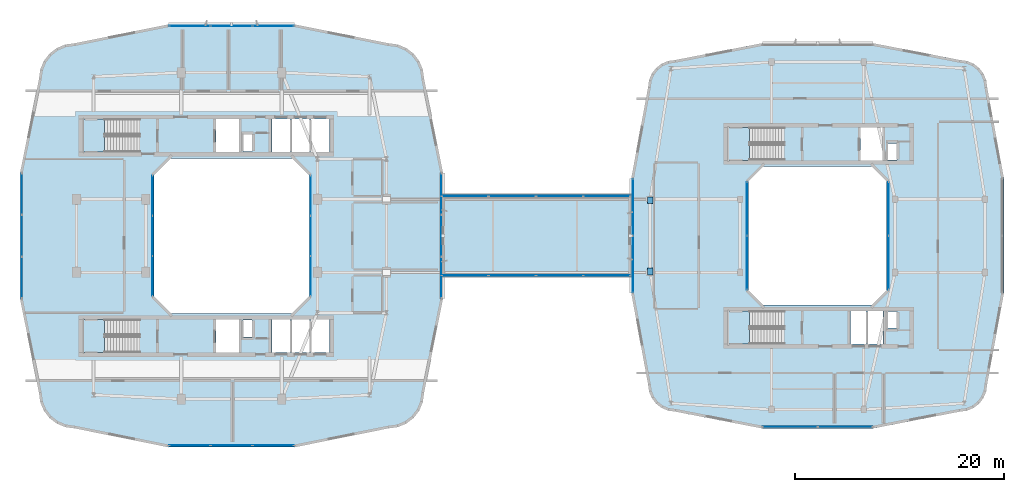
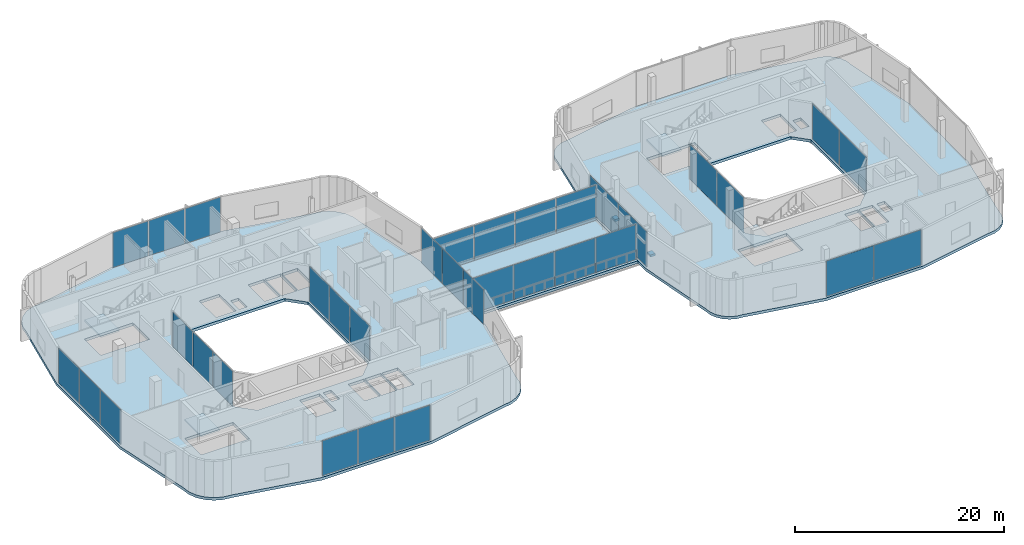
# One storey, part 12 of 24: 34 plates, 7 slabs, 2 members, 16 elements without a shape of their own.
"""IFC4 building model written with IfcOpenShell, lengths in metres."""

from ifc_helpers import new_model, si_unit, derived_unit, direction, frame, origin, origin_2d, place, context, subcontext, project, spatial, polyline, rectangle, outline, extrude, material, layer, layer_set, material_profile, profile_set, type_object, element, aggregate, save


model = new_model("IFC4")

# Units and contexts
model_context = context("Model", 3, precision=1e-05, world=origin(), true_north=direction((0.0, 1.0)))
body_context = subcontext(model_context, "Body", "Model", "MODEL_VIEW")
ifc_project = project(units=[si_unit("LENGTHUNIT", "METRE"), si_unit("AREAUNIT", "SQUARE_METRE"), si_unit("VOLUMEUNIT", "CUBIC_METRE"), si_unit("PLANEANGLEUNIT", "RADIAN"), si_unit("MASSUNIT", "GRAM", prefix="KILO"), derived_unit("THERMALTRANSMITTANCEUNIT", [(si_unit("POWERUNIT", "WATT"), 1), (si_unit("LENGTHUNIT", "METRE"), -2), (si_unit("THERMODYNAMICTEMPERATUREUNIT", "KELVIN"), -1)])], contexts=[model_context])

# Site, building, storey
site_placement = place(None, origin())
site = spatial("IfcSite", under=ifc_project, at=site_placement, CompositionType="ELEMENT")
building_placement = place(site_placement, origin())
building = spatial("IfcBuilding", under=site, at=building_placement, Name="Kivonza Crest Hotel", CompositionType="ELEMENT")
storey_placement = place(building_placement, frame((0.0, 0.0, 119.5)))
storey = spatial("IfcBuildingStorey", under=building, at=storey_placement, Name="L32", CompositionType="ELEMENT", Elevation=119.5)

# Members
ifc_material_1 = material(Name="Steel S355", Category="steel")
ifc_material_profile = material_profile(ifc_material_1, rectangle(XDim=0.52001953125, YDim=0.239990234375, at=origin_2d()), Name="BEARING 520x240")
ifc_profile_set = profile_set([ifc_material_profile], Name="Steel S355")
member_type = type_object("IfcMemberType", Name="MB-BEARING-520", PredefinedType="USERDEFINED", material=ifc_profile_set)
for number, where, z_axis, x_axis, name in (
    (1, (61.0, 28.080078125, -0.179931640625), (0.0, 1.0, 0.0), (-1.0, 0.0, 0.0), "Sliding bearing BRG-SKY-N unguided biaxial PTFE spherical assembly"),
    (2, (61.0, 21.280029296875, -0.179931640625), (0.0, 1.0, 0.0), (-1.0, 0.0, 0.0), "Sliding bearing BRG-SKY-S unguided biaxial PTFE spherical assembly"),
):
    element("IfcMember", number, at=place(storey_placement, frame(where, z_axis=z_axis, x_axis=x_axis)), inside=storey, type_object=member_type, Name=name, ObjectType="BEARING", PredefinedType="USERDEFINED", context=body_context, shape_type="SweptSolid", body=[
        extrude(rectangle(XDim=0.52001953125, YDim=0.239990234375, at=origin_2d()), origin(), (0.0, 0.0, 1.0), 0.639892578125),
    ])

# Curtain wall, plates
ifc_material_2 = material(Name="Anodised bronze aluminium and low-E double glazing", Category="aluminium")
ifc_layer_1 = layer(ifc_material_2, 0.159912109375)
ifc_layer_set_1 = layer_set([ifc_layer_1], Name="Anodised bronze aluminium and low-E double glazing")
curtain_wall_type_1 = type_object("IfcCurtainWallType", Name="CW-SYS-5", PredefinedType="NOTDEFINED", material=ifc_layer_set_1)
curtain_wall_1_placement = place(storey_placement, origin())
curtain_wall_1 = element("IfcCurtainWall", 3, at=curtain_wall_1_placement, inside=storey, type_object=curtain_wall_type_1, Name="L32 unitised curtain wall CW-WELL-T1-L32-3", PredefinedType="NOTDEFINED")
ifc_material_3 = material(Name="Solar-control low-E double glazing", Category="glass")
ifc_layer_2 = layer(ifc_material_3, 0.028076171875)
ifc_layer_set_2 = layer_set([ifc_layer_2], Name="Solar-control low-E double glazing")
plate_type_1 = type_object("IfcPlateType", Name="CW-PNL-28", PredefinedType="CURTAIN_PANEL", material=ifc_layer_set_2)
plate_1_placement = place(storey_placement, frame((28.56005859375, 21.149658203125, 0.06494140625), z_axis=(0.0, 0.0, 1.0), x_axis=(0.0, 1.0, 0.0)))
plate_1 = element("IfcPlate", 4, at=plate_1_placement, type_object=plate_type_1, Name="CW-5 panel 1.1", PredefinedType="CURTAIN_PANEL", context=body_context, shape_type="SweptSolid", body=[
    extrude(rectangle(XDim=3.769287109375, YDim=0.028076171875, at=origin_2d()), origin(), (0.0, 0.0, 1.0), 4.090087890625),
])
plate_2_placement = place(storey_placement, frame((28.56005859375, 25.0, 0.06494140625), z_axis=(0.0, 0.0, 1.0), x_axis=(0.0, 1.0, 0.0)))
plate_2 = element("IfcPlate", 5, at=plate_2_placement, type_object=plate_type_1, Name="CW-5 panel 2.1", PredefinedType="CURTAIN_PANEL", context=body_context, shape_type="SweptSolid", body=[
    extrude(rectangle(XDim=3.8017578125, YDim=0.028076171875, at=origin_2d()), origin(), (0.0, 0.0, 1.0), 4.090087890625),
])
plate_3_placement = place(storey_placement, frame((28.56005859375, 28.850341796875, 0.06494140625), z_axis=(0.0, 0.0, 1.0), x_axis=(0.0, 1.0, 0.0)))
plate_3 = element("IfcPlate", 6, at=plate_3_placement, type_object=plate_type_1, Name="CW-5 panel 3.1", PredefinedType="CURTAIN_PANEL", context=body_context, shape_type="SweptSolid", body=[
    extrude(rectangle(XDim=3.769287109375, YDim=0.028076171875, at=origin_2d()), origin(), (0.0, 0.0, 1.0), 4.090087890625),
])
aggregate(curtain_wall_1, [plate_1, plate_2, plate_3])

curtain_wall_2_placement = place(storey_placement, origin())
curtain_wall_2 = element("IfcCurtainWall", 7, at=curtain_wall_2_placement, inside=storey, type_object=curtain_wall_type_1, Name="L32 unitised curtain wall CW-WELL-T1-L32-7", PredefinedType="NOTDEFINED")
plate_4_placement = place(storey_placement, frame((13.43994140625, 28.850341796875, 0.06494140625), z_axis=(0.0, 0.0, 1.0), x_axis=(0.0, -1.0, 0.0)))
plate_4 = element("IfcPlate", 8, at=plate_4_placement, type_object=plate_type_1, Name="CW-5 panel 1.1", PredefinedType="CURTAIN_PANEL", context=body_context, shape_type="SweptSolid", body=[
    extrude(rectangle(XDim=3.769287109375, YDim=0.028076171875, at=origin_2d()), origin(), (0.0, 0.0, 1.0), 4.090087890625),
])
plate_5_placement = place(storey_placement, frame((13.43994140625, 25.0, 0.06494140625), z_axis=(0.0, 0.0, 1.0), x_axis=(0.0, -1.0, 0.0)))
plate_5 = element("IfcPlate", 9, at=plate_5_placement, type_object=plate_type_1, Name="CW-5 panel 2.1", PredefinedType="CURTAIN_PANEL", context=body_context, shape_type="SweptSolid", body=[
    extrude(rectangle(XDim=3.8017578125, YDim=0.028076171875, at=origin_2d()), origin(), (0.0, 0.0, 1.0), 4.090087890625),
])
plate_6_placement = place(storey_placement, frame((13.43994140625, 21.149658203125, 0.06494140625), z_axis=(0.0, 0.0, 1.0), x_axis=(0.0, -1.0, 0.0)))
plate_6 = element("IfcPlate", 10, at=plate_6_placement, type_object=plate_type_1, Name="CW-5 panel 3.1", PredefinedType="CURTAIN_PANEL", context=body_context, shape_type="SweptSolid", body=[
    extrude(rectangle(XDim=3.769287109375, YDim=0.028076171875, at=origin_2d()), origin(), (0.0, 0.0, 1.0), 4.090087890625),
])
aggregate(curtain_wall_2, [plate_4, plate_5, plate_6])

ifc_layer_3 = layer(ifc_material_2, 0.179931640625)
ifc_layer_set_3 = layer_set([ifc_layer_3], Name="Anodised bronze aluminium and low-E double glazing")
curtain_wall_type_2 = type_object("IfcCurtainWallType", Name="CW-SYS-4", PredefinedType="NOTDEFINED", material=ifc_layer_set_3)
curtain_wall_3_placement = place(storey_placement, origin())
curtain_wall_3 = element("IfcCurtainWall", 11, at=curtain_wall_3_placement, inside=storey, type_object=curtain_wall_type_2, Name="L32 unitised curtain wall CW-T2-L32-08", PredefinedType="NOTDEFINED")
plate_7_placement = place(storey_placement, frame((74.3662109375, 6.760009765625, 0.06494140625), z_axis=(0.0, 0.0, 1.0), x_axis=(1.0, 0.0, 0.0)))
plate_7 = element("IfcPlate", 12, at=plate_7_placement, type_object=plate_type_1, Name="CW-4 panel 1.1", PredefinedType="CURTAIN_PANEL", context=body_context, shape_type="SweptSolid", body=[
    extrude(rectangle(XDim=5.202392578125, YDim=0.028076171875, at=origin_2d()), origin(), (0.0, 0.0, 1.0), 4.1201171875),
])
plate_8_placement = place(storey_placement, frame((79.6337890625, 6.760009765625, 0.06494140625), z_axis=(0.0, 0.0, 1.0), x_axis=(1.0, 0.0, 0.0)))
plate_8 = element("IfcPlate", 13, at=plate_8_placement, type_object=plate_type_1, Name="CW-4 panel 2.1", PredefinedType="CURTAIN_PANEL", context=body_context, shape_type="SweptSolid", body=[
    extrude(rectangle(XDim=5.202392578125, YDim=0.028076171875, at=origin_2d()), origin(), (0.0, 0.0, 1.0), 4.1201171875),
])
aggregate(curtain_wall_3, [plate_7, plate_8])

curtain_wall_4_placement = place(storey_placement, origin())
curtain_wall_4 = element("IfcCurtainWall", 14, at=curtain_wall_4_placement, inside=storey, type_object=curtain_wall_type_2, Name="L32 unitised curtain wall CW-T2-L32-35", PredefinedType="NOTDEFINED")
plate_9_placement = place(storey_placement, frame((59.360107421875, 27.7236328125, 0.06494140625), z_axis=(0.0, 0.0, 1.0), x_axis=(0.0, -1.0, 0.0)))
plate_9 = element("IfcPlate", 15, at=plate_9_placement, type_object=plate_type_1, Name="CW-4 panel 1.1", PredefinedType="CURTAIN_PANEL", context=body_context, shape_type="SweptSolid", body=[
    extrude(rectangle(XDim=5.382568359375, YDim=0.028076171875, at=origin_2d()), origin(), (0.0, 0.0, 1.0), 4.1201171875),
])
plate_10_placement = place(storey_placement, frame((59.360107421875, 22.2763671875, 0.06494140625), z_axis=(0.0, 0.0, 1.0), x_axis=(0.0, -1.0, 0.0)))
plate_10 = element("IfcPlate", 16, at=plate_10_placement, type_object=plate_type_1, Name="CW-4 panel 2.1", PredefinedType="CURTAIN_PANEL", context=body_context, shape_type="SweptSolid", body=[
    extrude(rectangle(XDim=5.382568359375, YDim=0.028076171875, at=origin_2d()), origin(), (0.0, 0.0, 1.0), 4.1201171875),
])
aggregate(curtain_wall_4, [plate_9, plate_10])

curtain_wall_5_placement = place(storey_placement, origin())
curtain_wall_5 = element("IfcCurtainWall", 17, at=curtain_wall_5_placement, inside=storey, type_object=curtain_wall_type_1, Name="L32 unitised curtain wall CW-WELL-T2-L32-3", PredefinedType="NOTDEFINED")
plate_11_placement = place(storey_placement, frame((83.760009765625, 22.416259765625, 0.06494140625), z_axis=(0.0, 0.0, 1.0), x_axis=(0.0, 1.0, 0.0)))
plate_11 = element("IfcPlate", 18, at=plate_11_placement, type_object=plate_type_1, Name="CW-5 panel 1.1", PredefinedType="CURTAIN_PANEL", context=body_context, shape_type="SweptSolid", body=[
    extrude(rectangle(XDim=5.1025390625, YDim=0.028076171875, at=origin_2d()), origin(), (0.0, 0.0, 1.0), 4.1201171875),
])
plate_12_placement = place(storey_placement, frame((83.760009765625, 27.583740234375, 0.06494140625), z_axis=(0.0, 0.0, 1.0), x_axis=(0.0, 1.0, 0.0)))
plate_12 = element("IfcPlate", 19, at=plate_12_placement, type_object=plate_type_1, Name="CW-5 panel 2.1", PredefinedType="CURTAIN_PANEL", context=body_context, shape_type="SweptSolid", body=[
    extrude(rectangle(XDim=5.1025390625, YDim=0.028076171875, at=origin_2d()), origin(), (0.0, 0.0, 1.0), 4.1201171875),
])
aggregate(curtain_wall_5, [plate_11, plate_12])

curtain_wall_6_placement = place(storey_placement, origin())
curtain_wall_6 = element("IfcCurtainWall", 20, at=curtain_wall_6_placement, inside=storey, type_object=curtain_wall_type_1, Name="L32 unitised curtain wall CW-WELL-T2-L32-7", PredefinedType="NOTDEFINED")
plate_13_placement = place(storey_placement, frame((70.239990234375, 27.583740234375, 0.06494140625), z_axis=(0.0, 0.0, 1.0), x_axis=(0.0, -1.0, 0.0)))
plate_13 = element("IfcPlate", 21, at=plate_13_placement, type_object=plate_type_1, Name="CW-5 panel 1.1", PredefinedType="CURTAIN_PANEL", context=body_context, shape_type="SweptSolid", body=[
    extrude(rectangle(XDim=5.1025390625, YDim=0.028076171875, at=origin_2d()), origin(), (0.0, 0.0, 1.0), 4.1201171875),
])
plate_14_placement = place(storey_placement, frame((70.239990234375, 22.416259765625, 0.06494140625), z_axis=(0.0, 0.0, 1.0), x_axis=(0.0, -1.0, 0.0)))
plate_14 = element("IfcPlate", 22, at=plate_14_placement, type_object=plate_type_1, Name="CW-5 panel 2.1", PredefinedType="CURTAIN_PANEL", context=body_context, shape_type="SweptSolid", body=[
    extrude(rectangle(XDim=5.1025390625, YDim=0.028076171875, at=origin_2d()), origin(), (0.0, 0.0, 1.0), 4.1201171875),
])
aggregate(curtain_wall_6, [plate_13, plate_14])

ifc_layer_4 = layer(ifc_material_2, 0.179931640625)
ifc_layer_set_4 = layer_set([ifc_layer_4], Name="Anodised bronze aluminium and low-E double glazing")
curtain_wall_type_3 = type_object("IfcCurtainWallType", Name="CW-SYS-3", PredefinedType="NOTDEFINED", material=ifc_layer_set_4)
curtain_wall_7_placement = place(storey_placement, origin())
curtain_wall_7 = element("IfcCurtainWall", 23, at=curtain_wall_7_placement, inside=storey, type_object=curtain_wall_type_3, Name="L32 unitised curtain wall CW-T1-L32-08", PredefinedType="NOTDEFINED")
ifc_material_4 = material(Name="Acoustic triple-laminated low-E glazing", Category="glass")
ifc_layer_5 = layer(ifc_material_4, 0.035888671875)
ifc_layer_set_5 = layer_set([ifc_layer_5], Name="Acoustic triple-laminated low-E glazing")
plate_type_2 = type_object("IfcPlateType", Name="CW-PNL-36", PredefinedType="CURTAIN_PANEL", material=ifc_layer_set_5)
plate_15_placement = place(storey_placement, frame((17.00537109375, 4.9599609375, 0.0751953125), z_axis=(0.0, 0.0, 1.0), x_axis=(1.0, 0.0, 0.0)))
plate_15 = element("IfcPlate", 24, at=plate_15_placement, type_object=plate_type_2, Name="CW-3 panel 1.1", PredefinedType="CURTAIN_PANEL", context=body_context, shape_type="SweptSolid", body=[
    extrude(rectangle(XDim=3.90087890625, YDim=0.035888671875, at=origin_2d()), origin(), (0.0, 0.0, 1.0), 4.070068359375),
])
plate_16_placement = place(storey_placement, frame((21.0, 4.9599609375, 0.0751953125), z_axis=(0.0, 0.0, 1.0), x_axis=(1.0, 0.0, 0.0)))
plate_16 = element("IfcPlate", 25, at=plate_16_placement, type_object=plate_type_2, Name="CW-3 panel 2.1", PredefinedType="CURTAIN_PANEL", context=body_context, shape_type="SweptSolid", body=[
    extrude(rectangle(XDim=3.938232421875, YDim=0.035888671875, at=origin_2d()), origin(), (0.0, 0.0, 1.0), 4.070068359375),
])
plate_17_placement = place(storey_placement, frame((24.99462890625, 4.9599609375, 0.0751953125), z_axis=(0.0, 0.0, 1.0), x_axis=(1.0, 0.0, 0.0)))
plate_17 = element("IfcPlate", 26, at=plate_17_placement, type_object=plate_type_2, Name="CW-3 panel 3.1", PredefinedType="CURTAIN_PANEL", context=body_context, shape_type="SweptSolid", body=[
    extrude(rectangle(XDim=3.90087890625, YDim=0.035888671875, at=origin_2d()), origin(), (0.0, 0.0, 1.0), 4.070068359375),
])
aggregate(curtain_wall_7, [plate_15, plate_16, plate_17])

curtain_wall_8_placement = place(storey_placement, origin())
curtain_wall_8 = element("IfcCurtainWall", 27, at=curtain_wall_8_placement, inside=storey, type_object=curtain_wall_type_3, Name="L32 unitised curtain wall CW-T1-L32-17", PredefinedType="NOTDEFINED")
plate_18_placement = place(storey_placement, frame((41.0400390625, 21.00537109375, 0.0751953125), z_axis=(0.0, 0.0, 1.0), x_axis=(0.0, 1.0, 0.0)))
plate_18 = element("IfcPlate", 28, at=plate_18_placement, type_object=plate_type_2, Name="CW-3 panel 1.1", PredefinedType="CURTAIN_PANEL", context=body_context, shape_type="SweptSolid", body=[
    extrude(rectangle(XDim=3.90087890625, YDim=0.035888671875, at=origin_2d()), origin(), (0.0, 0.0, 1.0), 4.070068359375),
])
plate_19_placement = place(storey_placement, frame((41.0400390625, 25.0, 0.0751953125), z_axis=(0.0, 0.0, 1.0), x_axis=(0.0, 1.0, 0.0)))
plate_19 = element("IfcPlate", 29, at=plate_19_placement, type_object=plate_type_2, Name="CW-3 panel 2.1", PredefinedType="CURTAIN_PANEL", context=body_context, shape_type="SweptSolid", body=[
    extrude(rectangle(XDim=3.938232421875, YDim=0.035888671875, at=origin_2d()), origin(), (0.0, 0.0, 1.0), 4.070068359375),
])
plate_20_placement = place(storey_placement, frame((41.0400390625, 28.99462890625, 0.0751953125), z_axis=(0.0, 0.0, 1.0), x_axis=(0.0, 1.0, 0.0)))
plate_20 = element("IfcPlate", 30, at=plate_20_placement, type_object=plate_type_2, Name="CW-3 panel 3.1", PredefinedType="CURTAIN_PANEL", context=body_context, shape_type="SweptSolid", body=[
    extrude(rectangle(XDim=3.90087890625, YDim=0.035888671875, at=origin_2d()), origin(), (0.0, 0.0, 1.0), 4.070068359375),
])
aggregate(curtain_wall_8, [plate_18, plate_19, plate_20])

curtain_wall_9_placement = place(storey_placement, origin())
curtain_wall_9 = element("IfcCurtainWall", 31, at=curtain_wall_9_placement, inside=storey, type_object=curtain_wall_type_3, Name="L32 unitised curtain wall CW-T1-L32-26", PredefinedType="NOTDEFINED")
plate_21_placement = place(storey_placement, frame((24.99462890625, 45.0400390625, 0.0751953125), z_axis=(0.0, 0.0, 1.0), x_axis=(-1.0, 0.0, 0.0)))
plate_21 = element("IfcPlate", 32, at=plate_21_placement, type_object=plate_type_2, Name="CW-3 panel 1.1", PredefinedType="CURTAIN_PANEL", context=body_context, shape_type="SweptSolid", body=[
    extrude(rectangle(XDim=3.90087890625, YDim=0.035888671875, at=origin_2d()), origin(), (0.0, 0.0, 1.0), 4.070068359375),
])
plate_22_placement = place(storey_placement, frame((21.0, 45.0400390625, 0.0751953125), z_axis=(0.0, 0.0, 1.0), x_axis=(-1.0, 0.0, 0.0)))
plate_22 = element("IfcPlate", 33, at=plate_22_placement, type_object=plate_type_2, Name="CW-3 panel 2.1", PredefinedType="CURTAIN_PANEL", context=body_context, shape_type="SweptSolid", body=[
    extrude(rectangle(XDim=3.938232421875, YDim=0.035888671875, at=origin_2d()), origin(), (0.0, 0.0, 1.0), 4.070068359375),
])
plate_23_placement = place(storey_placement, frame((17.00537109375, 45.0400390625, 0.0751953125), z_axis=(0.0, 0.0, 1.0), x_axis=(-1.0, 0.0, 0.0)))
plate_23 = element("IfcPlate", 34, at=plate_23_placement, type_object=plate_type_2, Name="CW-3 panel 3.1", PredefinedType="CURTAIN_PANEL", context=body_context, shape_type="SweptSolid", body=[
    extrude(rectangle(XDim=3.90087890625, YDim=0.035888671875, at=origin_2d()), origin(), (0.0, 0.0, 1.0), 4.070068359375),
])
aggregate(curtain_wall_9, [plate_21, plate_22, plate_23])

curtain_wall_10_placement = place(storey_placement, origin())
curtain_wall_10 = element("IfcCurtainWall", 35, at=curtain_wall_10_placement, inside=storey, type_object=curtain_wall_type_3, Name="L32 unitised curtain wall CW-T1-L32-35", PredefinedType="NOTDEFINED")
plate_24_placement = place(storey_placement, frame((0.9599609375, 28.99462890625, 0.0751953125), z_axis=(0.0, 0.0, 1.0), x_axis=(0.0, -1.0, 0.0)))
plate_24 = element("IfcPlate", 36, at=plate_24_placement, type_object=plate_type_2, Name="CW-3 panel 1.1", PredefinedType="CURTAIN_PANEL", context=body_context, shape_type="SweptSolid", body=[
    extrude(rectangle(XDim=3.90087890625, YDim=0.035888671875, at=origin_2d()), origin(), (0.0, 0.0, 1.0), 4.070068359375),
])
plate_25_placement = place(storey_placement, frame((0.9599609375, 25.0, 0.0751953125), z_axis=(0.0, 0.0, 1.0), x_axis=(0.0, -1.0, 0.0)))
plate_25 = element("IfcPlate", 37, at=plate_25_placement, type_object=plate_type_2, Name="CW-3 panel 2.1", PredefinedType="CURTAIN_PANEL", context=body_context, shape_type="SweptSolid", body=[
    extrude(rectangle(XDim=3.938232421875, YDim=0.035888671875, at=origin_2d()), origin(), (0.0, 0.0, 1.0), 4.070068359375),
])
plate_26_placement = place(storey_placement, frame((0.9599609375, 21.00537109375, 0.0751953125), z_axis=(0.0, 0.0, 1.0), x_axis=(0.0, -1.0, 0.0)))
plate_26 = element("IfcPlate", 38, at=plate_26_placement, type_object=plate_type_2, Name="CW-3 panel 3.1", PredefinedType="CURTAIN_PANEL", context=body_context, shape_type="SweptSolid", body=[
    extrude(rectangle(XDim=3.90087890625, YDim=0.035888671875, at=origin_2d()), origin(), (0.0, 0.0, 1.0), 4.070068359375),
])
aggregate(curtain_wall_10, [plate_24, plate_25, plate_26])

ifc_layer_6 = layer(ifc_material_2, 0.199951171875)
ifc_layer_set_6 = layer_set([ifc_layer_6], Name="Anodised bronze aluminium and low-E double glazing")
curtain_wall_type_4 = type_object("IfcCurtainWallType", Name="CW-SYS-6", PredefinedType="NOTDEFINED", material=ifc_layer_set_6)
curtain_wall_11_placement = place(storey_placement, origin())
curtain_wall_11 = element("IfcCurtainWall", 39, at=curtain_wall_11_placement, inside=storey, type_object=curtain_wall_type_4, Name="L32 unitised curtain wall CW-BR1-L32-S", PredefinedType="NOTDEFINED")
plate_27_placement = place(storey_placement, frame((43.3212890625, 21.2099609375, 0.0751953125), z_axis=(0.0, 0.0, 1.0), x_axis=(1.0, 0.0, 0.0)))
plate_27 = element("IfcPlate", 40, at=plate_27_placement, type_object=plate_type_2, Name="CW-6 panel 1.1", PredefinedType="CURTAIN_PANEL", context=body_context, shape_type="SweptSolid", body=[
    extrude(rectangle(XDim=4.41259765625, YDim=0.035888671875, at=origin_2d()), origin(), (0.0, 0.0, 1.0), 4.070068359375),
])
plate_28_placement = place(storey_placement, frame((47.827392578125, 21.2099609375, 0.0751953125), z_axis=(0.0, 0.0, 1.0), x_axis=(1.0, 0.0, 0.0)))
plate_28 = element("IfcPlate", 41, at=plate_28_placement, type_object=plate_type_2, Name="CW-6 panel 2.1", PredefinedType="CURTAIN_PANEL", context=body_context, shape_type="SweptSolid", body=[
    extrude(rectangle(XDim=4.449951171875, YDim=0.035888671875, at=origin_2d()), origin(), (0.0, 0.0, 1.0), 4.070068359375),
])
plate_29_placement = place(storey_placement, frame((52.3525390625, 21.2099609375, 0.0751953125), z_axis=(0.0, 0.0, 1.0), x_axis=(1.0, 0.0, 0.0)))
plate_29 = element("IfcPlate", 42, at=plate_29_placement, type_object=plate_type_2, Name="CW-6 panel 3.1", PredefinedType="CURTAIN_PANEL", context=body_context, shape_type="SweptSolid", body=[
    extrude(rectangle(XDim=4.449951171875, YDim=0.035888671875, at=origin_2d()), origin(), (0.0, 0.0, 1.0), 4.070068359375),
])
plate_30_placement = place(storey_placement, frame((56.858642578125, 21.2099609375, 0.0751953125), z_axis=(0.0, 0.0, 1.0), x_axis=(1.0, 0.0, 0.0)))
plate_30 = element("IfcPlate", 43, at=plate_30_placement, type_object=plate_type_2, Name="CW-6 panel 4.1", PredefinedType="CURTAIN_PANEL", context=body_context, shape_type="SweptSolid", body=[
    extrude(rectangle(XDim=4.41259765625, YDim=0.035888671875, at=origin_2d()), origin(), (0.0, 0.0, 1.0), 4.070068359375),
])
aggregate(curtain_wall_11, [plate_27, plate_28, plate_29, plate_30])

curtain_wall_12_placement = place(storey_placement, origin())
curtain_wall_12 = element("IfcCurtainWall", 44, at=curtain_wall_12_placement, inside=storey, type_object=curtain_wall_type_4, Name="L32 unitised curtain wall CW-BR1-L32-N", PredefinedType="NOTDEFINED")
plate_31_placement = place(storey_placement, frame((56.858642578125, 28.7900390625, 0.0751953125), z_axis=(0.0, 0.0, 1.0), x_axis=(-1.0, 0.0, 0.0)))
plate_31 = element("IfcPlate", 45, at=plate_31_placement, type_object=plate_type_2, Name="CW-6 panel 1.1", PredefinedType="CURTAIN_PANEL", context=body_context, shape_type="SweptSolid", body=[
    extrude(rectangle(XDim=4.41259765625, YDim=0.035888671875, at=origin_2d()), origin(), (0.0, 0.0, 1.0), 4.070068359375),
])
plate_32_placement = place(storey_placement, frame((52.3525390625, 28.7900390625, 0.0751953125), z_axis=(0.0, 0.0, 1.0), x_axis=(-1.0, 0.0, 0.0)))
plate_32 = element("IfcPlate", 46, at=plate_32_placement, type_object=plate_type_2, Name="CW-6 panel 2.1", PredefinedType="CURTAIN_PANEL", context=body_context, shape_type="SweptSolid", body=[
    extrude(rectangle(XDim=4.449951171875, YDim=0.035888671875, at=origin_2d()), origin(), (0.0, 0.0, 1.0), 4.070068359375),
])
plate_33_placement = place(storey_placement, frame((47.827392578125, 28.7900390625, 0.0751953125), z_axis=(0.0, 0.0, 1.0), x_axis=(-1.0, 0.0, 0.0)))
plate_33 = element("IfcPlate", 47, at=plate_33_placement, type_object=plate_type_2, Name="CW-6 panel 3.1", PredefinedType="CURTAIN_PANEL", context=body_context, shape_type="SweptSolid", body=[
    extrude(rectangle(XDim=4.449951171875, YDim=0.035888671875, at=origin_2d()), origin(), (0.0, 0.0, 1.0), 4.070068359375),
])
plate_34_placement = place(storey_placement, frame((43.3212890625, 28.7900390625, 0.0751953125), z_axis=(0.0, 0.0, 1.0), x_axis=(-1.0, 0.0, 0.0)))
plate_34 = element("IfcPlate", 48, at=plate_34_placement, type_object=plate_type_2, Name="CW-6 panel 4.1", PredefinedType="CURTAIN_PANEL", context=body_context, shape_type="SweptSolid", body=[
    extrude(rectangle(XDim=4.41259765625, YDim=0.035888671875, at=origin_2d()), origin(), (0.0, 0.0, 1.0), 4.070068359375),
])
aggregate(curtain_wall_12, [plate_31, plate_32, plate_33, plate_34])

# Stair, slab
ifc_material_5 = material(Name="Concrete C40/50", Category="concrete")
stair_type = type_object("IfcStairType", Name="ST-DL-26R", PredefinedType="HALF_TURN_STAIR", material=ifc_material_5)
stair_1_placement = place(storey_placement, origin())
stair_1 = element("IfcStair", 49, at=stair_1_placement, inside=storey, type_object=stair_type, Name="L32 Protected Exit Stair ST-T1-N", PredefinedType="HALF_TURN_STAIR")
ifc_layer_7 = layer(ifc_material_5, 0.199951171875)
ifc_layer_set_7 = layer_set([ifc_layer_7], Name="Concrete C40/50")
slab_type_1 = type_object("IfcSlabType", Name="SL-LAND-200", PredefinedType="LANDING", material=ifc_layer_set_7)
slab_1_placement = place(storey_placement, frame((0.0, 0.0, 2.050048828125)))
slab_1 = element("IfcSlab", 50, at=slab_1_placement, type_object=slab_type_1, Name="ST-T1-N landing 1", PredefinedType="LANDING", context=body_context, shape_type="SweptSolid", body=[
    extrude(outline(polyline([(8.8798828125, 36.159912109375), (6.800048828125, 36.159912109375), (6.800048828125, 33.02001953125), (8.8798828125, 33.02001953125), (8.8798828125, 36.159912109375)])), origin(), (0.0, 0.0, 1.0), 0.199951171875),
])
aggregate(stair_1, [slab_1])

stair_2_placement = place(storey_placement, origin())
stair_2 = element("IfcStair", 51, at=stair_2_placement, inside=storey, type_object=stair_type, Name="L32 Protected Exit Stair ST-T1-S", PredefinedType="HALF_TURN_STAIR")
slab_2_placement = place(storey_placement, frame((0.0, 0.0, 2.050048828125)))
slab_2 = element("IfcSlab", 52, at=slab_2_placement, type_object=slab_type_1, Name="ST-T1-S landing 1", PredefinedType="LANDING", context=body_context, shape_type="SweptSolid", body=[
    extrude(outline(polyline([(8.8798828125, 17.0), (6.800048828125, 17.0), (6.800048828125, 13.860107421875), (8.8798828125, 13.860107421875), (8.8798828125, 17.0)])), origin(), (0.0, 0.0, 1.0), 0.199951171875),
])
aggregate(stair_2, [slab_2])

stair_3_placement = place(storey_placement, origin())
stair_3 = element("IfcStair", 53, at=stair_3_placement, inside=storey, type_object=stair_type, Name="L32 Protected Exit Stair ST-T2-N", PredefinedType="HALF_TURN_STAIR")
slab_3_placement = place(storey_placement, frame((0.0, 0.0, 2.050048828125)))
slab_3 = element("IfcSlab", 54, at=slab_3_placement, type_object=slab_type_1, Name="ST-T2-N landing 1", PredefinedType="LANDING", context=body_context, shape_type="SweptSolid", body=[
    extrude(outline(polyline([(70.47998046875, 35.360107421875), (68.39990234375, 35.360107421875), (68.39990234375, 32.219970703125), (70.47998046875, 32.219970703125), (70.47998046875, 35.360107421875)])), origin(), (0.0, 0.0, 1.0), 0.199951171875),
])
aggregate(stair_3, [slab_3])

stair_4_placement = place(storey_placement, origin())
stair_4 = element("IfcStair", 55, at=stair_4_placement, inside=storey, type_object=stair_type, Name="L32 Protected Exit Stair ST-T2-S", PredefinedType="HALF_TURN_STAIR")
slab_4_placement = place(storey_placement, frame((0.0, 0.0, 2.050048828125)))
slab_4 = element("IfcSlab", 56, at=slab_4_placement, type_object=slab_type_1, Name="ST-T2-S landing 1", PredefinedType="LANDING", context=body_context, shape_type="SweptSolid", body=[
    extrude(outline(polyline([(70.47998046875, 17.800048828125), (68.39990234375, 17.800048828125), (68.39990234375, 14.659912109375), (70.47998046875, 14.659912109375), (70.47998046875, 17.800048828125)])), origin(), (0.0, 0.0, 1.0), 0.199951171875),
])
aggregate(stair_4, [slab_4])

# Slabs
ifc_layer_8 = layer(ifc_material_5, 0.300048828125)
ifc_layer_set_8 = layer_set([ifc_layer_8], Name="Concrete C40/50")
slab_type_2 = type_object("IfcSlabType", Name="SL-LNK-300", PredefinedType="FLOOR", material=ifc_layer_set_8)
slab_5_placement = place(storey_placement, frame((0.0, 0.0, -0.300048828125)))
element("IfcSlab", 57, at=slab_5_placement, inside=storey, type_object=slab_type_2, Name="Skybridge BR1 L32 composite link deck slab", PredefinedType="FLOOR", context=body_context, shape_type="SweptSolid", body=[
    extrude(outline(polyline([(41.199951171875, 21.0), (59.179931640625, 21.0), (59.179931640625, 29.0), (41.199951171875, 29.0), (41.199951171875, 21.0)])), origin(), (0.0, 0.0, 1.0), 0.300048828125),
])
ifc_layer_9 = layer(ifc_material_5, 0.320068359375)
ifc_layer_set_9 = layer_set([ifc_layer_9], Name="Concrete C40/50")
slab_type_3 = type_object("IfcSlabType", Name="SL-REF-320", PredefinedType="FLOOR", material=ifc_layer_set_9)
slab_6_placement = place(storey_placement, frame((0.0, 0.0, -0.320068359375)))
element("IfcSlab", 58, at=slab_6_placement, inside=storey, type_object=slab_type_3, Name="Tower T1 L32 floor slab", PredefinedType="FLOOR", context=body_context, shape_type="SweptSolid", body=[
    extrude(outline(polyline([(2.60009765625, 10.0), (2.716064453125, 9.1201171875), (3.055908203125, 8.300048828125), (3.595947265625, 7.595947265625), (4.300048828125, 7.055908203125), (5.1201171875, 6.716064453125), (6.0, 6.60009765625), (14.93994140625, 4.800048828125), (27.06005859375, 4.800048828125), (36.0, 6.60009765625), (36.8798828125, 6.716064453125), (37.699951171875, 7.055908203125), (38.404052734375, 7.595947265625), (38.944091796875, 8.300048828125), (39.283935546875, 9.1201171875), (39.39990234375, 10.0), (41.199951171875, 18.93994140625), (41.199951171875, 31.06005859375), (39.39990234375, 40.0), (39.283935546875, 40.8798828125), (38.944091796875, 41.699951171875), (38.404052734375, 42.404052734375), (37.699951171875, 42.944091796875), (36.8798828125, 43.283935546875), (36.0, 43.39990234375), (27.06005859375, 45.199951171875), (14.93994140625, 45.199951171875), (6.0, 43.39990234375), (5.1201171875, 43.283935546875), (4.300048828125, 42.944091796875), (3.595947265625, 42.404052734375), (3.055908203125, 41.699951171875), (2.716064453125, 40.8798828125), (2.60009765625, 40.0), (0.800048828125, 31.06005859375), (0.800048828125, 18.93994140625), (2.60009765625, 10.0)]), holes=[polyline([(15.199951171875, 17.60009765625), (26.800048828125, 17.60009765625), (28.39990234375, 19.199951171875), (28.39990234375, 30.800048828125), (26.800048828125, 32.39990234375), (15.199951171875, 32.39990234375), (13.60009765625, 30.800048828125), (13.60009765625, 19.199951171875), (15.199951171875, 17.60009765625)]), polyline([(6.800048828125, 33.02001953125), (12.159912109375, 33.02001953125), (12.159912109375, 36.159912109375), (6.800048828125, 36.159912109375), (6.800048828125, 33.02001953125)]), polyline([(6.800048828125, 13.860107421875), (12.159912109375, 13.860107421875), (12.159912109375, 17.0), (6.800048828125, 17.0), (6.800048828125, 13.860107421875)]), polyline([(22.080078125, 33.0400390625), (22.969970703125, 33.0400390625), (22.969970703125, 34.679931640625), (22.080078125, 34.679931640625), (22.080078125, 33.0400390625)]), polyline([(22.080078125, 15.320068359375), (22.969970703125, 15.320068359375), (22.969970703125, 16.9599609375), (22.080078125, 16.9599609375), (22.080078125, 15.320068359375)]), polyline([(19.5, 33.0), (21.699951171875, 33.0), (21.699951171875, 36.159912109375), (19.5, 36.159912109375), (19.5, 33.0)]), polyline([(24.860107421875, 33.0), (26.60693359375, 33.0), (26.60693359375, 36.159912109375), (24.860107421875, 36.159912109375), (24.860107421875, 33.0)]), polyline([(26.72705078125, 33.0), (28.472900390625, 33.0), (28.472900390625, 36.159912109375), (26.72705078125, 36.159912109375), (26.72705078125, 33.0)]), polyline([(28.593017578125, 33.0), (30.340087890625, 33.0), (30.340087890625, 36.159912109375), (28.593017578125, 36.159912109375), (28.593017578125, 33.0)]), polyline([(19.5, 13.840087890625), (21.699951171875, 13.840087890625), (21.699951171875, 17.0), (19.5, 17.0), (19.5, 13.840087890625)]), polyline([(24.860107421875, 13.840087890625), (26.60693359375, 13.840087890625), (26.60693359375, 17.0), (24.860107421875, 17.0), (24.860107421875, 13.840087890625)]), polyline([(26.72705078125, 13.840087890625), (28.472900390625, 13.840087890625), (28.472900390625, 17.0), (26.72705078125, 17.0), (26.72705078125, 13.840087890625)]), polyline([(28.593017578125, 13.840087890625), (30.340087890625, 13.840087890625), (30.340087890625, 17.0), (28.593017578125, 17.0), (28.593017578125, 13.840087890625)])]), origin(), (0.0, 0.0, 1.0), 0.320068359375),
])
slab_7_placement = place(storey_placement, frame((0.0, 0.0, -0.320068359375)))
element("IfcSlab", 59, at=slab_7_placement, inside=storey, type_object=slab_type_3, Name="Companion Tower T2 L32 floor slab", PredefinedType="FLOOR", context=body_context, shape_type="SweptSolid", body=[
    extrude(outline(polyline([(60.800048828125, 10.800048828125), (60.888916015625, 10.126953125), (61.14794921875, 9.5), (61.56201171875, 8.9619140625), (62.10009765625, 8.548095703125), (62.72705078125, 8.2890625), (63.39990234375, 8.199951171875), (71.659912109375, 6.60009765625), (82.340087890625, 6.60009765625), (90.60009765625, 8.199951171875), (91.27294921875, 8.2890625), (91.89990234375, 8.548095703125), (92.43798828125, 8.9619140625), (92.85205078125, 9.5), (93.111083984375, 10.126953125), (93.199951171875, 10.800048828125), (94.800048828125, 19.47998046875), (94.800048828125, 30.52001953125), (93.199951171875, 39.199951171875), (93.111083984375, 39.873046875), (92.85205078125, 40.5), (92.43798828125, 41.0380859375), (91.89990234375, 41.451904296875), (91.27294921875, 41.7109375), (90.60009765625, 41.800048828125), (82.340087890625, 43.39990234375), (71.659912109375, 43.39990234375), (63.39990234375, 41.800048828125), (62.72705078125, 41.7109375), (62.10009765625, 41.451904296875), (61.56201171875, 41.0380859375), (61.14794921875, 40.5), (60.888916015625, 39.873046875), (60.800048828125, 39.199951171875), (59.199951171875, 30.52001953125), (59.199951171875, 19.47998046875), (60.800048828125, 10.800048828125)]), holes=[polyline([(71.800048828125, 18.39990234375), (82.199951171875, 18.39990234375), (83.60009765625, 19.800048828125), (83.60009765625, 30.199951171875), (82.199951171875, 31.60009765625), (71.800048828125, 31.60009765625), (70.39990234375, 30.199951171875), (70.39990234375, 19.800048828125), (71.800048828125, 18.39990234375)]), polyline([(68.39990234375, 32.219970703125), (73.760009765625, 32.219970703125), (73.760009765625, 35.360107421875), (68.39990234375, 35.360107421875), (68.39990234375, 32.219970703125)]), polyline([(68.39990234375, 14.659912109375), (73.760009765625, 14.659912109375), (73.760009765625, 17.800048828125), (68.39990234375, 17.800048828125), (68.39990234375, 14.659912109375)]), polyline([(83.679931640625, 32.239990234375), (84.570068359375, 32.239990234375), (84.570068359375, 33.820068359375), (83.679931640625, 33.820068359375), (83.679931640625, 32.239990234375)]), polyline([(83.679931640625, 16.179931640625), (84.570068359375, 16.179931640625), (84.570068359375, 17.760009765625), (83.679931640625, 17.760009765625), (83.679931640625, 16.179931640625)]), polyline([(81.10009765625, 32.199951171875), (83.199951171875, 32.199951171875), (83.199951171875, 35.360107421875), (81.10009765625, 35.360107421875), (81.10009765625, 32.199951171875)]), polyline([(80.159912109375, 14.639892578125), (81.639892578125, 14.639892578125), (81.639892578125, 17.800048828125), (80.159912109375, 17.800048828125), (80.159912109375, 14.639892578125)]), polyline([(81.760009765625, 14.639892578125), (83.239990234375, 14.639892578125), (83.239990234375, 17.800048828125), (81.760009765625, 17.800048828125), (81.760009765625, 14.639892578125)])]), origin(), (0.0, 0.0, 1.0), 0.320068359375),
])

save(model, "model.ifc")
